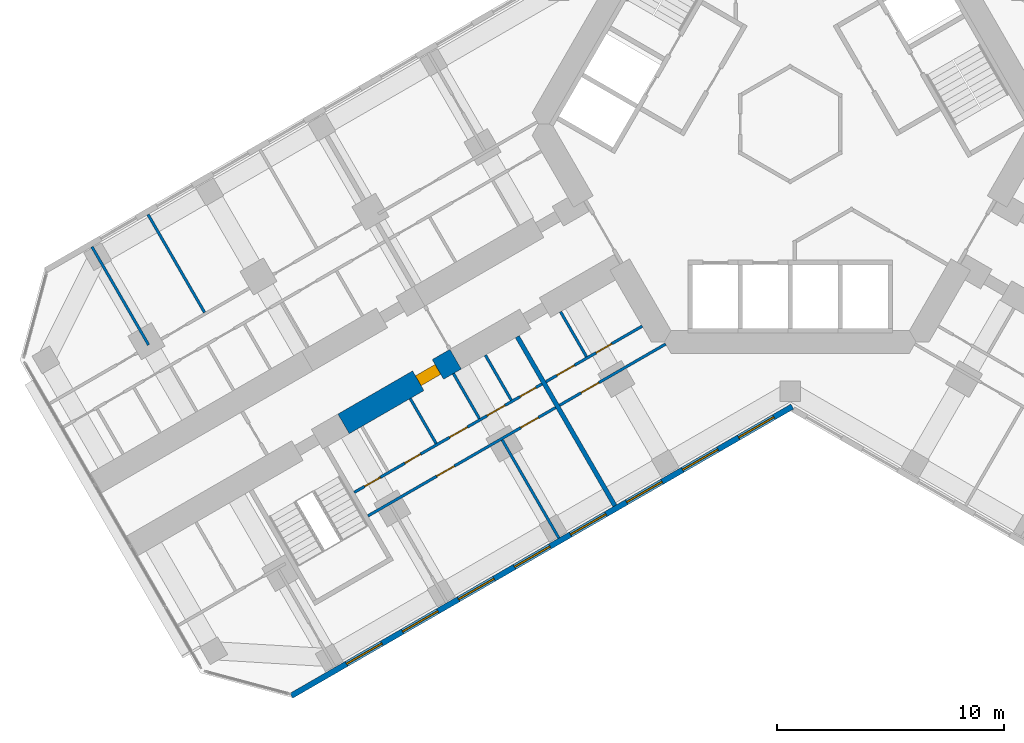
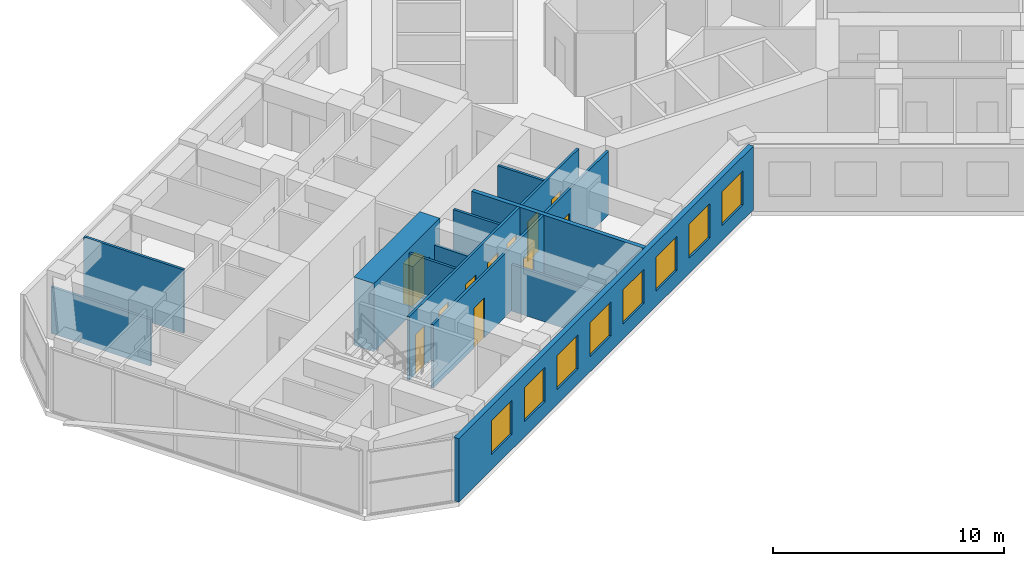
# One storey, part 11 of 21: 14 walls, 11 doors, 8 windows, 19 openings.
"""IFC4 building model written with IfcOpenShell, lengths in metres."""

from ifc_helpers import new_model, si_unit, direction, frame, frame_2d, origin, place, context, subcontext, project, spatial, rectangle, extrude, material, layer, layer_set, type_object, element, fill, save


model = new_model("IFC4")

# Units and contexts
model_context = context("Model", 3, precision=1e-05, world=origin(), true_north=direction((0.0, 1.0)))
body_context = subcontext(model_context, "Body", "Model", "MODEL_VIEW")
ifc_project = project(units=[si_unit("LENGTHUNIT", "METRE"), si_unit("AREAUNIT", "SQUARE_METRE"), si_unit("VOLUMEUNIT", "CUBIC_METRE"), si_unit("PLANEANGLEUNIT", "RADIAN"), si_unit("MASSUNIT", "GRAM", prefix="KILO")], contexts=[model_context])

# Site, building, storey
site_placement = place(None, origin())
site = spatial("IfcSite", under=ifc_project, at=site_placement, CompositionType="ELEMENT")
building_placement = place(site_placement, origin())
building = spatial("IfcBuilding", under=site, at=building_placement, Name="Kosmar Iwan School Tower", CompositionType="ELEMENT")
storey_placement = place(building_placement, frame((0.0, 0.0, 98.800048828125)))
storey = spatial("IfcBuildingStorey", under=building, at=storey_placement, Name="L24", CompositionType="ELEMENT", Elevation=98.800048828125)

# Wall, opening, door
ifc_material_1 = material(Name="Concrete C50/60", Category="concrete")
ifc_layer_1 = layer(ifc_material_1, 1.0)
ifc_layer_set_1 = layer_set([ifc_layer_1], Name="Corridor buttress wall 1000")
wall_type_1 = type_object("IfcWallType", Name="Corridor buttress wall 1000", PredefinedType="SHEAR", material=ifc_layer_set_1)
wall_1_placement = place(storey_placement, frame((-14.7451171875, -10.360595703125, 0.0), z_axis=(0.0, 0.0, 1.0), x_axis=(-0.866015111908, -0.50001782563, 0.0)))
wall_1 = element("IfcWall", 1, at=wall_1_placement, inside=storey, type_object=wall_type_1, Name="Corridor wall BL bay 2", PredefinedType="SHEAR", context=body_context, shape_type="SweptSolid", body=[
    extrude(rectangle(XDim=5.699951171875, YDim=1.0, at=frame_2d((2.85009765625, 0.0))), origin(), (0.0, 0.0, 1.0), 3.599853515625),
])
opening_1_placement = place(wall_1_placement, frame((0.89990234375, 0.0, 0.0)))
opening_1 = element("IfcOpeningElement", 2, at=opening_1_placement, cuts=wall_1, Name="Opening D1", PredefinedType="OPENING", context=body_context, shape_type="SweptSolid", body=[
    extrude(rectangle(XDim=1.0, YDim=2.10009765625, at=frame_2d((0.5, 1.050048828125))), frame((0.0, 0.511962890625, 0.0), z_axis=(0.0, -1.0, 0.0), x_axis=(1.0, 0.0, 0.0)), (0.0, 0.0, 1.0), 1.02392578125),
])
ifc_material_2 = material(Name="Timber fire door in steel frame", Category="steel")
door_type_1 = type_object("IfcDoorType", Name="Flat entrance door 1000x2100", OperationType="SINGLE_SWING_LEFT", PredefinedType="DOOR", material=ifc_material_2)
door_1_placement = place(opening_1_placement, origin())
door_1 = element("IfcDoor", 3, at=door_1_placement, inside=storey, type_object=door_type_1, Name="Flat L24-BL2 entrance door", OperationType="SINGLE_SWING_LEFT", OverallHeight=2.10009765625, OverallWidth=1.0, PredefinedType="DOOR", context=body_context, shape_type="SweptSolid", body=[
    extrude(rectangle(XDim=1.0, YDim=2.10009765625, at=frame_2d((0.5, 1.050048828125))), frame((0.0, 0.25, 0.0), z_axis=(0.0, -1.0, 0.0), x_axis=(1.0, 0.0, 0.0)), (0.0, 0.0, 1.0), 0.5),
])
fill(opening_1, door_1)

# Wall, openings, doors
ifc_material_3 = material(Name="Gypsum board on steel studs", Category="steel")
ifc_layer_2 = layer(ifc_material_3, 0.1201171875)
ifc_layer_set_2 = layer_set([ifc_layer_2], Name="Dwelling partition 120")
wall_type_2 = type_object("IfcWallType", Name="Dwelling partition 120", PredefinedType="PARTITIONING", material=ifc_layer_set_2)
wall_2_placement = place(storey_placement, frame((-6.521728515625, -8.90380859375, 0.0), z_axis=(0.0, 0.0, 1.0), x_axis=(-0.866036242063, -0.49998122708, 0.0)))
wall_2 = element("IfcWall", 4, at=wall_2_placement, inside=storey, type_object=wall_type_2, Name="Partition L24-BL1-W1", PredefinedType="PARTITIONING", context=body_context, shape_type="SweptSolid", body=[
    extrude(rectangle(XDim=4.900146484375, YDim=0.1201171875, at=frame_2d((2.4501953125, 0.0))), origin(), (0.0, 0.0, 1.0), 3.349853515625),
])
opening_2_placement = place(wall_2_placement, frame((1.550048828125, 0.0, 0.0)))
opening_2 = element("IfcOpeningElement", 5, at=opening_2_placement, cuts=wall_2, Name="Opening D3", PredefinedType="OPENING", context=body_context, shape_type="SweptSolid", body=[
    extrude(rectangle(XDim=0.800048828125, YDim=2.10009765625, at=frame_2d((0.39990234375, 1.050048828125))), frame((0.0, 0.072021484375, 0.0), z_axis=(0.0, -1.0, 0.0), x_axis=(1.0, 0.0, 0.0)), (0.0, 0.0, 1.0), 0.14404296875),
])
opening_3_placement = place(wall_2_placement, frame((3.449951171875, 0.0, 0.0)))
opening_3 = element("IfcOpeningElement", 6, at=opening_3_placement, cuts=wall_2, Name="Opening D2", PredefinedType="OPENING", context=body_context, shape_type="SweptSolid", body=[
    extrude(rectangle(XDim=0.89990234375, YDim=2.10009765625, at=frame_2d((0.449951171875, 1.050048828125))), frame((0.0, 0.072021484375, 0.0), z_axis=(0.0, -1.0, 0.0), x_axis=(1.0, 0.0, 0.0)), (0.0, 0.0, 1.0), 0.14404296875),
])
ifc_material_4 = material(Name="Timber door in timber frame", Category="wood")
door_type_2 = type_object("IfcDoorType", Name="Internal door 900x2100", OperationType="SINGLE_SWING_LEFT", PredefinedType="DOOR", material=ifc_material_4)
door_2_placement = place(opening_3_placement, origin())
door_2 = element("IfcDoor", 7, at=door_2_placement, inside=storey, type_object=door_type_2, Name="Entrance hall door L24-BL1-S2", OperationType="SINGLE_SWING_RIGHT", OverallHeight=2.10009765625, OverallWidth=0.89990234375, PredefinedType="DOOR", context=body_context, shape_type="SweptSolid", body=[
    extrude(rectangle(XDim=0.89990234375, YDim=2.10009765625, at=frame_2d((0.449951171875, 1.050048828125))), frame((0.0, 0.02490234375, 0.0), z_axis=(0.0, -1.0, 0.0), x_axis=(1.0, 0.0, 0.0)), (0.0, 0.0, 1.0), 0.050048828125),
])
fill(opening_3, door_2)
ifc_material_5 = material(Name="Timber door in timber frame", Category="wood")
door_type_3 = type_object("IfcDoorType", Name="Sanitary room door 800x2100", OperationType="SINGLE_SWING_LEFT", PredefinedType="DOOR", material=ifc_material_5)
door_3_placement = place(opening_2_placement, origin())
door_3 = element("IfcDoor", 8, at=door_3_placement, inside=storey, type_object=door_type_3, Name="Bathroom door L24-BL1-S1", OperationType="SINGLE_SWING_LEFT", OverallHeight=2.10009765625, OverallWidth=0.800048828125, PredefinedType="DOOR", context=body_context, shape_type="SweptSolid", body=[
    extrude(rectangle(XDim=0.800048828125, YDim=2.10009765625, at=frame_2d((0.39990234375, 1.050048828125))), frame((0.0, 0.02490234375, 0.0), z_axis=(0.0, -1.0, 0.0), x_axis=(1.0, 0.0, 0.0)), (0.0, 0.0, 1.0), 0.050048828125),
])
fill(opening_2, door_3)

# Wall, opening, door
wall_3_placement = place(storey_placement, frame((-5.48876953125, -9.693115234375, 0.0), z_axis=(0.0, 0.0, 1.0), x_axis=(-0.866028230842, -0.499995103361, 0.0)))
wall_3 = element("IfcWall", 9, at=wall_3_placement, inside=storey, type_object=wall_type_2, Name="Partition L24-BL1-W2", PredefinedType="PARTITIONING", context=body_context, shape_type="SweptSolid", body=[
    extrude(rectangle(XDim=5.39990234375, YDim=0.1201171875, at=frame_2d((2.699951171875, 0.0))), origin(), (0.0, 0.0, 1.0), 3.349853515625),
])
opening_4_placement = place(wall_3_placement, frame((3.39990234375, 0.0, 0.0)))
opening_4 = element("IfcOpeningElement", 10, at=opening_4_placement, cuts=wall_3, Name="Opening D2", PredefinedType="OPENING", context=body_context, shape_type="SweptSolid", body=[
    extrude(rectangle(XDim=0.89990234375, YDim=2.10009765625, at=frame_2d((0.449951171875, 1.050048828125))), frame((0.0, 0.072021484375, 0.0), z_axis=(0.0, -1.0, 0.0), x_axis=(1.0, 0.0, 0.0)), (0.0, 0.0, 1.0), 0.14404296875),
])
door_4_placement = place(opening_4_placement, origin())
door_4 = element("IfcDoor", 11, at=door_4_placement, inside=storey, type_object=door_type_2, Name="Studio living room and kitchen door L24-BL1-F1", OperationType="SINGLE_SWING_RIGHT", OverallHeight=2.10009765625, OverallWidth=0.89990234375, PredefinedType="DOOR", context=body_context, shape_type="SweptSolid", body=[
    extrude(rectangle(XDim=0.89990234375, YDim=2.10009765625, at=frame_2d((0.449951171875, 1.050048828125))), frame((0.0, 0.02490234375, 0.0), z_axis=(0.0, -1.0, 0.0), x_axis=(1.0, 0.0, 0.0)), (0.0, 0.0, 1.0), 0.050048828125),
])
fill(opening_4, door_4)

# Wall
wall_4_placement = place(storey_placement, frame((-10.121826171875, -8.2685546875, 0.0), z_axis=(0.0, 0.0, 1.0), x_axis=(0.499968531483, -0.866043571379, 0.0)))
element("IfcWall", 12, at=wall_4_placement, inside=storey, type_object=wall_type_2, Name="Partition L24-BL1-Y1", PredefinedType="PARTITIONING", context=body_context, shape_type="SweptSolid", body=[
    extrude(rectangle(XDim=2.290283203125, YDim=0.1201171875, at=frame_2d((1.14501953125, 0.0))), origin(), (0.0, 0.0, 1.0), 3.349853515625),
])

# Wall, openings, doors
wall_5_placement = place(storey_placement, frame((-10.9384765625, -11.453857421875, 0.0), z_axis=(0.0, 0.0, 1.0), x_axis=(-0.866035311659, -0.499982838664, 0.0)))
wall_5 = element("IfcWall", 13, at=wall_5_placement, inside=storey, type_object=wall_type_2, Name="Partition L24-BL2-W1", PredefinedType="PARTITIONING", context=body_context, shape_type="SweptSolid", body=[
    extrude(rectangle(XDim=9.550048828125, YDim=0.1201171875, at=frame_2d((4.77490234375, 0.0))), origin(), (0.0, 0.0, 1.0), 3.349853515625),
])
opening_5_placement = place(wall_5_placement, frame((0.3125, 0.0, 0.0)))
opening_5 = element("IfcOpeningElement", 14, at=opening_5_placement, cuts=wall_5, Name="Opening D3", PredefinedType="OPENING", context=body_context, shape_type="SweptSolid", body=[
    extrude(rectangle(XDim=0.800048828125, YDim=2.10009765625, at=frame_2d((0.39990234375, 1.050048828125))), frame((0.0, 0.072021484375, 0.0), z_axis=(0.0, -1.0, 0.0), x_axis=(1.0, 0.0, 0.0)), (0.0, 0.0, 1.0), 0.14404296875),
])
opening_6_placement = place(wall_5_placement, frame((1.887451171875, 0.0, 0.0)))
opening_6 = element("IfcOpeningElement", 15, at=opening_6_placement, cuts=wall_5, Name="Opening D2", PredefinedType="OPENING", context=body_context, shape_type="SweptSolid", body=[
    extrude(rectangle(XDim=0.89990234375, YDim=2.10009765625, at=frame_2d((0.449951171875, 1.050048828125))), frame((0.0, 0.072021484375, 0.0), z_axis=(0.0, -1.0, 0.0), x_axis=(1.0, 0.0, 0.0)), (0.0, 0.0, 1.0), 0.14404296875),
])
opening_7_placement = place(wall_5_placement, frame((3.800048828125, 0.0, 0.0)))
opening_7 = element("IfcOpeningElement", 16, at=opening_7_placement, cuts=wall_5, Name="Opening D2", PredefinedType="OPENING", context=body_context, shape_type="SweptSolid", body=[
    extrude(rectangle(XDim=0.89990234375, YDim=2.10009765625, at=frame_2d((0.449951171875, 1.050048828125))), frame((0.0, 0.072021484375, 0.0), z_axis=(0.0, -1.0, 0.0), x_axis=(1.0, 0.0, 0.0)), (0.0, 0.0, 1.0), 0.14404296875),
])
opening_8_placement = place(wall_5_placement, frame((6.179931640625, 0.0, 0.0)))
opening_8 = element("IfcOpeningElement", 17, at=opening_8_placement, cuts=wall_5, Name="Opening D3", PredefinedType="OPENING", context=body_context, shape_type="SweptSolid", body=[
    extrude(rectangle(XDim=0.800048828125, YDim=2.10009765625, at=frame_2d((0.39990234375, 1.050048828125))), frame((0.0, 0.072021484375, 0.0), z_axis=(0.0, -1.0, 0.0), x_axis=(1.0, 0.0, 0.0)), (0.0, 0.0, 1.0), 0.14404296875),
])
opening_9_placement = place(wall_5_placement, frame((8.22998046875, 0.0, 0.0)))
opening_9 = element("IfcOpeningElement", 18, at=opening_9_placement, cuts=wall_5, Name="Opening D3", PredefinedType="OPENING", context=body_context, shape_type="SweptSolid", body=[
    extrude(rectangle(XDim=0.800048828125, YDim=2.10009765625, at=frame_2d((0.39990234375, 1.050048828125))), frame((0.0, 0.072021484375, 0.0), z_axis=(0.0, -1.0, 0.0), x_axis=(1.0, 0.0, 0.0)), (0.0, 0.0, 1.0), 0.14404296875),
])
door_5_placement = place(opening_6_placement, frame((0.89990234375, 0.0, 0.0), z_axis=(0.0, 0.0, 1.0), x_axis=(-1.0, 0.0, 0.0)))
door_5 = element("IfcDoor", 19, at=door_5_placement, inside=storey, type_object=door_type_2, Name="Pantry door L24-BL2-S2", OperationType="SINGLE_SWING_RIGHT", OverallHeight=2.10009765625, OverallWidth=0.89990234375, PredefinedType="DOOR", context=body_context, shape_type="SweptSolid", body=[
    extrude(rectangle(XDim=0.89990234375, YDim=2.10009765625, at=frame_2d((0.449951171875, 1.050048828125))), frame((0.0, 0.02490234375, 0.0), z_axis=(0.0, -1.0, 0.0), x_axis=(1.0, 0.0, 0.0)), (0.0, 0.0, 1.0), 0.050048828125),
])
fill(opening_6, door_5)
door_6_placement = place(opening_7_placement, origin())
door_6 = element("IfcDoor", 20, at=door_6_placement, inside=storey, type_object=door_type_2, Name="Entrance hall door L24-BL2-S3", OperationType="SINGLE_SWING_LEFT", OverallHeight=2.10009765625, OverallWidth=0.89990234375, PredefinedType="DOOR", context=body_context, shape_type="SweptSolid", body=[
    extrude(rectangle(XDim=0.89990234375, YDim=2.10009765625, at=frame_2d((0.449951171875, 1.050048828125))), frame((0.0, 0.02490234375, 0.0), z_axis=(0.0, -1.0, 0.0), x_axis=(1.0, 0.0, 0.0)), (0.0, 0.0, 1.0), 0.050048828125),
])
fill(opening_7, door_6)
door_7_placement = place(opening_5_placement, origin())
door_7 = element("IfcDoor", 21, at=door_7_placement, inside=storey, type_object=door_type_3, Name="Store door L24-BL2-S1", OperationType="SINGLE_SWING_LEFT", OverallHeight=2.10009765625, OverallWidth=0.800048828125, PredefinedType="DOOR", context=body_context, shape_type="SweptSolid", body=[
    extrude(rectangle(XDim=0.800048828125, YDim=2.10009765625, at=frame_2d((0.39990234375, 1.050048828125))), frame((0.0, 0.02490234375, 0.0), z_axis=(0.0, -1.0, 0.0), x_axis=(1.0, 0.0, 0.0)), (0.0, 0.0, 1.0), 0.050048828125),
])
fill(opening_5, door_7)
door_8_placement = place(opening_8_placement, origin())
door_8 = element("IfcDoor", 22, at=door_8_placement, inside=storey, type_object=door_type_3, Name="Bathroom door L24-BL2-S4", OperationType="SINGLE_SWING_RIGHT", OverallHeight=2.10009765625, OverallWidth=0.800048828125, PredefinedType="DOOR", context=body_context, shape_type="SweptSolid", body=[
    extrude(rectangle(XDim=0.800048828125, YDim=2.10009765625, at=frame_2d((0.39990234375, 1.050048828125))), frame((0.0, 0.02490234375, 0.0), z_axis=(0.0, -1.0, 0.0), x_axis=(1.0, 0.0, 0.0)), (0.0, 0.0, 1.0), 0.050048828125),
])
fill(opening_8, door_8)
door_9_placement = place(opening_9_placement, origin())
door_9 = element("IfcDoor", 23, at=door_9_placement, inside=storey, type_object=door_type_3, Name="WC door L24-BL2-S5", OperationType="SINGLE_SWING_RIGHT", OverallHeight=2.10009765625, OverallWidth=0.800048828125, PredefinedType="DOOR", context=body_context, shape_type="SweptSolid", body=[
    extrude(rectangle(XDim=0.800048828125, YDim=2.10009765625, at=frame_2d((0.39990234375, 1.050048828125))), frame((0.0, 0.02490234375, 0.0), z_axis=(0.0, -1.0, 0.0), x_axis=(1.0, 0.0, 0.0)), (0.0, 0.0, 1.0), 0.050048828125),
])
fill(opening_9, door_9)

wall_6_placement = place(storey_placement, frame((-10.338623046875, -12.492919921875, 0.0), z_axis=(0.0, 0.0, 1.0), x_axis=(-0.866017851049, -0.500013081493, 0.0)))
wall_6 = element("IfcWall", 24, at=wall_6_placement, inside=storey, type_object=wall_type_2, Name="Partition L24-BL2-W2", PredefinedType="PARTITIONING", context=body_context, shape_type="SweptSolid", body=[
    extrude(rectangle(XDim=9.550048828125, YDim=0.1201171875, at=frame_2d((4.77490234375, 0.0))), origin(), (0.0, 0.0, 1.0), 3.349853515625),
])
opening_10_placement = place(wall_6_placement, frame((0.875, 0.0, 0.0)))
opening_10 = element("IfcOpeningElement", 25, at=opening_10_placement, cuts=wall_6, Name="Opening D2", PredefinedType="OPENING", context=body_context, shape_type="SweptSolid", body=[
    extrude(rectangle(XDim=0.89990234375, YDim=2.10009765625, at=frame_2d((0.449951171875, 1.050048828125))), frame((0.0, 0.072021484375, 0.0), z_axis=(0.0, -1.0, 0.0), x_axis=(1.0, 0.0, 0.0)), (0.0, 0.0, 1.0), 0.14404296875),
])
opening_11_placement = place(wall_6_placement, frame((5.14990234375, 0.0, 0.0)))
opening_11 = element("IfcOpeningElement", 26, at=opening_11_placement, cuts=wall_6, Name="Opening D2", PredefinedType="OPENING", context=body_context, shape_type="SweptSolid", body=[
    extrude(rectangle(XDim=0.89990234375, YDim=2.10009765625, at=frame_2d((0.449951171875, 1.050048828125))), frame((0.0, 0.072021484375, 0.0), z_axis=(0.0, -1.0, 0.0), x_axis=(1.0, 0.0, 0.0)), (0.0, 0.0, 1.0), 0.14404296875),
])
door_10_placement = place(opening_10_placement, origin())
door_10 = element("IfcDoor", 27, at=door_10_placement, inside=storey, type_object=door_type_2, Name="Bedroom 1 door L24-BL2-F1", OperationType="SINGLE_SWING_LEFT", OverallHeight=2.10009765625, OverallWidth=0.89990234375, PredefinedType="DOOR", context=body_context, shape_type="SweptSolid", body=[
    extrude(rectangle(XDim=0.89990234375, YDim=2.10009765625, at=frame_2d((0.449951171875, 1.050048828125))), frame((0.0, 0.02490234375, 0.0), z_axis=(0.0, -1.0, 0.0), x_axis=(1.0, 0.0, 0.0)), (0.0, 0.0, 1.0), 0.050048828125),
])
fill(opening_10, door_10)
door_11_placement = place(opening_11_placement, origin())
door_11 = element("IfcDoor", 28, at=door_11_placement, inside=storey, type_object=door_type_2, Name="Living room and kitchen door L24-BL2-F2", OperationType="SINGLE_SWING_RIGHT", OverallHeight=2.10009765625, OverallWidth=0.89990234375, PredefinedType="DOOR", context=body_context, shape_type="SweptSolid", body=[
    extrude(rectangle(XDim=0.89990234375, YDim=2.10009765625, at=frame_2d((0.449951171875, 1.050048828125))), frame((0.0, 0.02490234375, 0.0), z_axis=(0.0, -1.0, 0.0), x_axis=(1.0, 0.0, 0.0)), (0.0, 0.0, 1.0), 0.050048828125),
])
fill(opening_11, door_11)

# Walls
wall_7_placement = place(storey_placement, frame((-12.690185546875, -13.919921875, 0.0), z_axis=(0.0, 0.0, 1.0), x_axis=(0.500011847778, -0.866018563358, 0.0)))
element("IfcWall", 29, at=wall_7_placement, inside=storey, type_object=wall_type_2, Name="Partition L24-BL2-X1", PredefinedType="PARTITIONING", context=body_context, shape_type="SweptSolid", body=[
    extrude(rectangle(XDim=4.990234375, YDim=0.1201171875, at=frame_2d((2.4951171875, 0.0))), origin(), (0.0, 0.0, 1.0), 2.449951171875),
])
wall_8_placement = place(storey_placement, frame((-13.434326171875, -10.18115234375, 0.0), z_axis=(0.0, 0.0, 1.0), x_axis=(0.500014693593, -0.866016920268, 0.0)))
element("IfcWall", 30, at=wall_8_placement, inside=storey, type_object=wall_type_2, Name="Partition L24-BL2-Y1", PredefinedType="PARTITIONING", context=body_context, shape_type="SweptSolid", body=[
    extrude(rectangle(XDim=2.2900390625, YDim=0.1201171875, at=frame_2d((1.14501953125, 0.0))), origin(), (0.0, 0.0, 1.0), 3.349853515625),
])
wall_9_placement = place(storey_placement, frame((-14.841552734375, -10.99365234375, 0.0), z_axis=(0.0, 0.0, 1.0), x_axis=(0.500014693593, -0.866016920268, 0.0)))
element("IfcWall", 31, at=wall_9_placement, inside=storey, type_object=wall_type_2, Name="Partition L24-BL2-Y2", PredefinedType="PARTITIONING", context=body_context, shape_type="SweptSolid", body=[
    extrude(rectangle(XDim=2.2900390625, YDim=0.1201171875, at=frame_2d((1.14501953125, 0.0))), origin(), (0.0, 0.0, 1.0), 2.449951171875),
])
wall_10_placement = place(storey_placement, frame((-16.746826171875, -12.09375, 0.0), z_axis=(0.0, 0.0, 1.0), x_axis=(0.500014693593, -0.866016920268, 0.0)))
element("IfcWall", 32, at=wall_10_placement, inside=storey, type_object=wall_type_2, Name="Partition L24-BL2-Y3", PredefinedType="PARTITIONING", context=body_context, shape_type="SweptSolid", body=[
    extrude(rectangle(XDim=2.2900390625, YDim=0.1201171875, at=frame_2d((1.14501953125, 0.0))), origin(), (0.0, 0.0, 1.0), 3.349853515625),
])
wall_11_placement = place(storey_placement, frame((-25.8046875, -8.304931640625, 0.0), z_axis=(0.0, 0.0, 1.0), x_axis=(-0.499975153383, 0.86603974851, 0.0)))
element("IfcWall", 33, at=wall_11_placement, inside=storey, type_object=wall_type_2, Name="Partition L24-BR2-X2", PredefinedType="PARTITIONING", context=body_context, shape_type="SweptSolid", body=[
    extrude(rectangle(XDim=4.989990234375, YDim=0.1201171875, at=frame_2d((2.4951171875, 0.0))), origin(), (0.0, 0.0, 1.0), 3.349853515625),
])
wall_12_placement = place(storey_placement, frame((-28.27294921875, -9.72998046875, 0.0), z_axis=(0.0, 0.0, 1.0), x_axis=(-0.499975153383, 0.86603974851, 0.0)))
element("IfcWall", 34, at=wall_12_placement, inside=storey, type_object=wall_type_2, Name="Partition L24-BR2-X3", PredefinedType="PARTITIONING", context=body_context, shape_type="SweptSolid", body=[
    extrude(rectangle(XDim=4.989990234375, YDim=0.1201171875, at=frame_2d((2.4951171875, 0.0))), origin(), (0.0, 0.0, 1.0), 2.449951171875),
])

# Wall, openings, windows
ifc_material_6 = material(Name="Black aluminium rainscreen on insulated framing", Category="aluminium")
ifc_layer_3 = layer(ifc_material_6, 0.25)
ifc_layer_set_3 = layer_set([ifc_layer_3], Name="External wall rainscreen 250")
wall_type_3 = type_object("IfcWallType", Name="External wall rainscreen 250", PredefinedType="SOLIDWALL", material=ifc_layer_set_3)
wall_13_placement = place(storey_placement, frame((0.088134765625, -12.44873046875, 0.0), z_axis=(0.0, 0.0, 1.0), x_axis=(-0.866026390279, -0.499998291337, 0.0)))
wall_13 = element("IfcWall", 35, at=wall_13_placement, inside=storey, type_object=wall_type_3, Name="External wall BL L24", PredefinedType="SOLIDWALL", context=body_context, shape_type="SweptSolid", body=[
    extrude(rectangle(XDim=25.4873046875, YDim=0.25, at=frame_2d((12.74365234375, 0.0))), origin(), (0.0, 0.0, 1.0), 3.349853515625),
])
opening_12_placement = place(wall_13_placement, frame((0.927001953125, 0.0, 0.800048828125)))
opening_12 = element("IfcOpeningElement", 36, at=opening_12_placement, cuts=wall_13, Name="Opening W1", PredefinedType="OPENING", context=body_context, shape_type="SweptSolid", body=[
    extrude(rectangle(XDim=1.800048828125, YDim=1.800048828125, at=frame_2d((0.89990234375, 0.89990234375))), frame((0.0, 0.136962890625, 0.0), z_axis=(0.0, -1.0, 0.0), x_axis=(1.0, 0.0, 0.0)), (0.0, 0.0, 1.0), 0.27392578125),
])
opening_13_placement = place(wall_13_placement, frame((3.777099609375, 0.0, 0.800048828125)))
opening_13 = element("IfcOpeningElement", 37, at=opening_13_placement, cuts=wall_13, Name="Opening W1", PredefinedType="OPENING", context=body_context, shape_type="SweptSolid", body=[
    extrude(rectangle(XDim=1.800048828125, YDim=1.800048828125, at=frame_2d((0.89990234375, 0.89990234375))), frame((0.0, 0.136962890625, 0.0), z_axis=(0.0, -1.0, 0.0), x_axis=(1.0, 0.0, 0.0)), (0.0, 0.0, 1.0), 0.27392578125),
])
opening_14_placement = place(wall_13_placement, frame((6.626953125, 0.0, 0.800048828125)))
opening_14 = element("IfcOpeningElement", 38, at=opening_14_placement, cuts=wall_13, Name="Opening W1", PredefinedType="OPENING", context=body_context, shape_type="SweptSolid", body=[
    extrude(rectangle(XDim=1.800048828125, YDim=1.800048828125, at=frame_2d((0.89990234375, 0.89990234375))), frame((0.0, 0.136962890625, 0.0), z_axis=(0.0, -1.0, 0.0), x_axis=(1.0, 0.0, 0.0)), (0.0, 0.0, 1.0), 0.27392578125),
])
opening_15_placement = place(wall_13_placement, frame((9.47705078125, 0.0, 0.800048828125)))
opening_15 = element("IfcOpeningElement", 39, at=opening_15_placement, cuts=wall_13, Name="Opening W1", PredefinedType="OPENING", context=body_context, shape_type="SweptSolid", body=[
    extrude(rectangle(XDim=1.800048828125, YDim=1.800048828125, at=frame_2d((0.89990234375, 0.89990234375))), frame((0.0, 0.136962890625, 0.0), z_axis=(0.0, -1.0, 0.0), x_axis=(1.0, 0.0, 0.0)), (0.0, 0.0, 1.0), 0.27392578125),
])
opening_16_placement = place(wall_13_placement, frame((12.326904296875, 0.0, 0.800048828125)))
opening_16 = element("IfcOpeningElement", 40, at=opening_16_placement, cuts=wall_13, Name="Opening W1", PredefinedType="OPENING", context=body_context, shape_type="SweptSolid", body=[
    extrude(rectangle(XDim=1.800048828125, YDim=1.800048828125, at=frame_2d((0.89990234375, 0.89990234375))), frame((0.0, 0.136962890625, 0.0), z_axis=(0.0, -1.0, 0.0), x_axis=(1.0, 0.0, 0.0)), (0.0, 0.0, 1.0), 0.27392578125),
])
opening_17_placement = place(wall_13_placement, frame((15.177001953125, 0.0, 0.800048828125)))
opening_17 = element("IfcOpeningElement", 41, at=opening_17_placement, cuts=wall_13, Name="Opening W1", PredefinedType="OPENING", context=body_context, shape_type="SweptSolid", body=[
    extrude(rectangle(XDim=1.800048828125, YDim=1.800048828125, at=frame_2d((0.89990234375, 0.89990234375))), frame((0.0, 0.136962890625, 0.0), z_axis=(0.0, -1.0, 0.0), x_axis=(1.0, 0.0, 0.0)), (0.0, 0.0, 1.0), 0.27392578125),
])
opening_18_placement = place(wall_13_placement, frame((18.027099609375, 0.0, 0.800048828125)))
opening_18 = element("IfcOpeningElement", 42, at=opening_18_placement, cuts=wall_13, Name="Opening W1", PredefinedType="OPENING", context=body_context, shape_type="SweptSolid", body=[
    extrude(rectangle(XDim=1.800048828125, YDim=1.800048828125, at=frame_2d((0.89990234375, 0.89990234375))), frame((0.0, 0.136962890625, 0.0), z_axis=(0.0, -1.0, 0.0), x_axis=(1.0, 0.0, 0.0)), (0.0, 0.0, 1.0), 0.27392578125),
])
opening_19_placement = place(wall_13_placement, frame((20.876953125, 0.0, 0.800048828125)))
opening_19 = element("IfcOpeningElement", 43, at=opening_19_placement, cuts=wall_13, Name="Opening W1", PredefinedType="OPENING", context=body_context, shape_type="SweptSolid", body=[
    extrude(rectangle(XDim=1.800048828125, YDim=1.800048828125, at=frame_2d((0.89990234375, 0.89990234375))), frame((0.0, 0.136962890625, 0.0), z_axis=(0.0, -1.0, 0.0), x_axis=(1.0, 0.0, 0.0)), (0.0, 0.0, 1.0), 0.27392578125),
])
ifc_material_7 = material(Name="Black aluminium frame with dark triple glazing", Category="aluminium")
window_type = type_object("IfcWindowType", Name="Window 1800x1800", PartitioningType="SINGLE_PANEL", PredefinedType="WINDOW", material=ifc_material_7)
window_1_placement = place(opening_12_placement, origin())
window_1 = element("IfcWindow", 44, at=window_1_placement, inside=storey, type_object=window_type, Name="Window BL L24 -1", OverallHeight=1.800048828125, OverallWidth=1.800048828125, PartitioningType="SINGLE_PANEL", PredefinedType="WINDOW", context=body_context, shape_type="SweptSolid", body=[
    extrude(rectangle(XDim=1.800048828125, YDim=1.800048828125, at=frame_2d((0.89990234375, 0.89990234375))), frame((0.0, 0.030029296875, 0.0), z_axis=(0.0, -1.0, 0.0), x_axis=(1.0, 0.0, 0.0)), (0.0, 0.0, 1.0), 0.06005859375),
])
fill(opening_12, window_1)
window_2_placement = place(opening_13_placement, origin())
window_2 = element("IfcWindow", 45, at=window_2_placement, inside=storey, type_object=window_type, Name="Window BL L24 0", OverallHeight=1.800048828125, OverallWidth=1.800048828125, PartitioningType="SINGLE_PANEL", PredefinedType="WINDOW", context=body_context, shape_type="SweptSolid", body=[
    extrude(rectangle(XDim=1.800048828125, YDim=1.800048828125, at=frame_2d((0.89990234375, 0.89990234375))), frame((0.0, 0.030029296875, 0.0), z_axis=(0.0, -1.0, 0.0), x_axis=(1.0, 0.0, 0.0)), (0.0, 0.0, 1.0), 0.06005859375),
])
fill(opening_13, window_2)
window_3_placement = place(opening_14_placement, origin())
window_3 = element("IfcWindow", 46, at=window_3_placement, inside=storey, type_object=window_type, Name="Window BL L24 1", OverallHeight=1.800048828125, OverallWidth=1.800048828125, PartitioningType="SINGLE_PANEL", PredefinedType="WINDOW", context=body_context, shape_type="SweptSolid", body=[
    extrude(rectangle(XDim=1.800048828125, YDim=1.800048828125, at=frame_2d((0.89990234375, 0.89990234375))), frame((0.0, 0.030029296875, 0.0), z_axis=(0.0, -1.0, 0.0), x_axis=(1.0, 0.0, 0.0)), (0.0, 0.0, 1.0), 0.06005859375),
])
fill(opening_14, window_3)
window_4_placement = place(opening_15_placement, origin())
window_4 = element("IfcWindow", 47, at=window_4_placement, inside=storey, type_object=window_type, Name="Window BL L24 2", OverallHeight=1.800048828125, OverallWidth=1.800048828125, PartitioningType="SINGLE_PANEL", PredefinedType="WINDOW", context=body_context, shape_type="SweptSolid", body=[
    extrude(rectangle(XDim=1.800048828125, YDim=1.800048828125, at=frame_2d((0.89990234375, 0.89990234375))), frame((0.0, 0.030029296875, 0.0), z_axis=(0.0, -1.0, 0.0), x_axis=(1.0, 0.0, 0.0)), (0.0, 0.0, 1.0), 0.06005859375),
])
fill(opening_15, window_4)
window_5_placement = place(opening_16_placement, origin())
window_5 = element("IfcWindow", 48, at=window_5_placement, inside=storey, type_object=window_type, Name="Window BL L24 3", OverallHeight=1.800048828125, OverallWidth=1.800048828125, PartitioningType="SINGLE_PANEL", PredefinedType="WINDOW", context=body_context, shape_type="SweptSolid", body=[
    extrude(rectangle(XDim=1.800048828125, YDim=1.800048828125, at=frame_2d((0.89990234375, 0.89990234375))), frame((0.0, 0.030029296875, 0.0), z_axis=(0.0, -1.0, 0.0), x_axis=(1.0, 0.0, 0.0)), (0.0, 0.0, 1.0), 0.06005859375),
])
fill(opening_16, window_5)
window_6_placement = place(opening_17_placement, origin())
window_6 = element("IfcWindow", 49, at=window_6_placement, inside=storey, type_object=window_type, Name="Window BL L24 4", OverallHeight=1.800048828125, OverallWidth=1.800048828125, PartitioningType="SINGLE_PANEL", PredefinedType="WINDOW", context=body_context, shape_type="SweptSolid", body=[
    extrude(rectangle(XDim=1.800048828125, YDim=1.800048828125, at=frame_2d((0.89990234375, 0.89990234375))), frame((0.0, 0.030029296875, 0.0), z_axis=(0.0, -1.0, 0.0), x_axis=(1.0, 0.0, 0.0)), (0.0, 0.0, 1.0), 0.06005859375),
])
fill(opening_17, window_6)
window_7_placement = place(opening_18_placement, origin())
window_7 = element("IfcWindow", 50, at=window_7_placement, inside=storey, type_object=window_type, Name="Window BL L24 5", OverallHeight=1.800048828125, OverallWidth=1.800048828125, PartitioningType="SINGLE_PANEL", PredefinedType="WINDOW", context=body_context, shape_type="SweptSolid", body=[
    extrude(rectangle(XDim=1.800048828125, YDim=1.800048828125, at=frame_2d((0.89990234375, 0.89990234375))), frame((0.0, 0.030029296875, 0.0), z_axis=(0.0, -1.0, 0.0), x_axis=(1.0, 0.0, 0.0)), (0.0, 0.0, 1.0), 0.06005859375),
])
fill(opening_18, window_7)
window_8_placement = place(opening_19_placement, origin())
window_8 = element("IfcWindow", 51, at=window_8_placement, inside=storey, type_object=window_type, Name="Window BL L24 6", OverallHeight=1.800048828125, OverallWidth=1.800048828125, PartitioningType="SINGLE_PANEL", PredefinedType="WINDOW", context=body_context, shape_type="SweptSolid", body=[
    extrude(rectangle(XDim=1.800048828125, YDim=1.800048828125, at=frame_2d((0.89990234375, 0.89990234375))), frame((0.0, 0.030029296875, 0.0), z_axis=(0.0, -1.0, 0.0), x_axis=(1.0, 0.0, 0.0)), (0.0, 0.0, 1.0), 0.06005859375),
])
fill(opening_19, window_8)

# Wall
ifc_material_8 = material(Name="Concrete block masonry", Category="masonry")
ifc_layer_4 = layer(ifc_material_8, 0.199951171875)
ifc_layer_set_4 = layer_set([ifc_layer_4], Name="Party wall 200")
wall_type_4 = type_object("IfcWallType", Name="Party wall 200", PredefinedType="PARTITIONING", material=ifc_layer_set_4)
wall_14_placement = place(storey_placement, frame((-12.027099609375, -9.36865234375, 0.0), z_axis=(0.0, 0.0, 1.0), x_axis=(0.500007509209, -0.866021068297, 0.0)))
element("IfcWall", 52, at=wall_14_placement, inside=storey, type_object=wall_type_4, Name="Partition L24-BL2-PW", PredefinedType="PARTITIONING", context=body_context, shape_type="SweptSolid", body=[
    extrude(rectangle(XDim=8.599853515625, YDim=0.199951171875, at=frame_2d((4.2998046875, 0.0))), origin(), (0.0, 0.0, 1.0), 3.349853515625),
])

save(model, "model.ifc")
